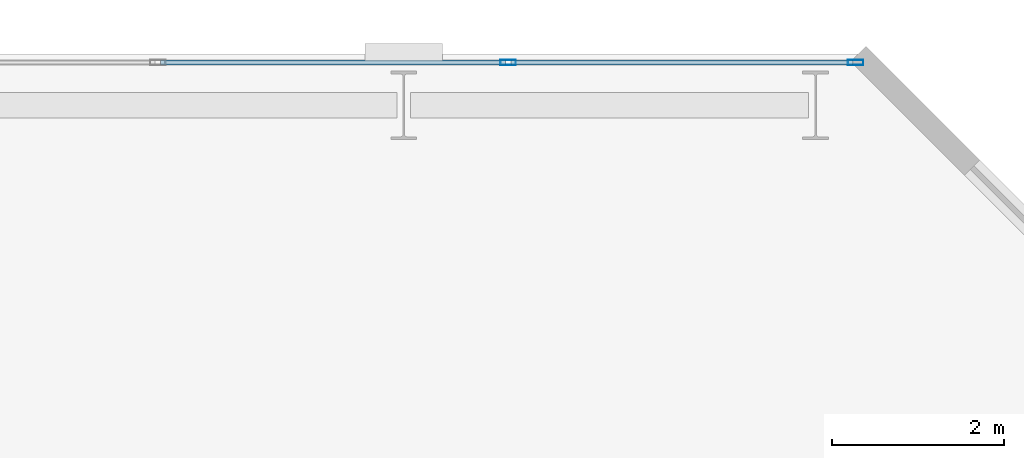
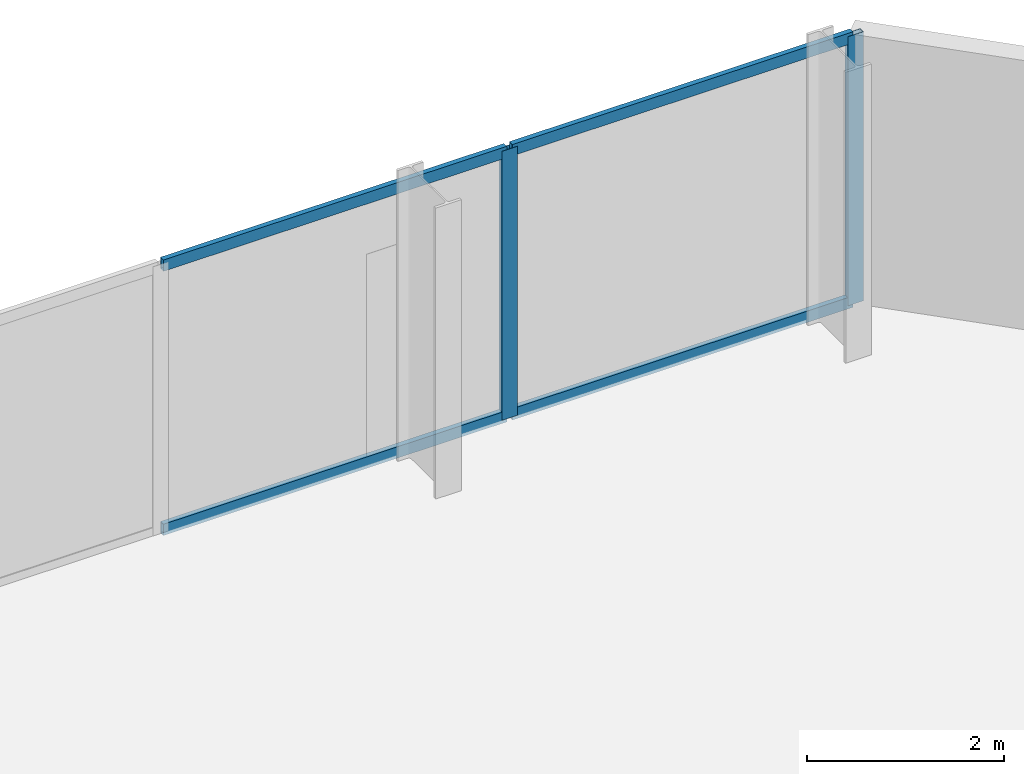
# One storey, part 26 of 32: 6 members, 1 element without a shape of its own.
"""IFC4 building model written with IfcOpenShell, lengths in metres."""

from ifc_helpers import new_model, si_unit, direction, frame, origin, origin_2d, place, context, subcontext, project, spatial, hollow_rectangle, extrude, material, layer, layer_set, material_profile, profile_set, type_object, element, aggregate, save


model = new_model("IFC4")

# Units and contexts
model_context = context("Model", 3, precision=1e-05, world=origin(), true_north=direction((0.0, 1.0)))
body_context = subcontext(model_context, "Body", "Model", "MODEL_VIEW")
ifc_project = project(units=[si_unit("LENGTHUNIT", "METRE"), si_unit("AREAUNIT", "SQUARE_METRE"), si_unit("VOLUMEUNIT", "CUBIC_METRE"), si_unit("PLANEANGLEUNIT", "RADIAN"), si_unit("MASSUNIT", "GRAM", prefix="KILO")], contexts=[model_context])

# Site, building, storey
site_placement = place(None, origin())
site = spatial("IfcSite", under=ifc_project, at=site_placement, CompositionType="ELEMENT")
building_placement = place(site_placement, origin())
building = spatial("IfcBuilding", under=site, at=building_placement, Name="Catumbela Crestline Tower", CompositionType="ELEMENT")
storey_placement = place(building_placement, frame((0.0, 0.0, 61.8)))
storey = spatial("IfcBuildingStorey", under=building, at=storey_placement, Name="L15", CompositionType="ELEMENT", Elevation=61.8)

# Curtain wall, members
ifc_material = material(Name="Aluminium alloy AW-6060-T66", Category="aluminium")
ifc_layer = layer(ifc_material, 0.18, Name="Aluminium alloy AW-6060-T66")
ifc_layer_set = layer_set([ifc_layer], Name="Aluminium alloy AW-6060-T66")
curtain_wall_type = type_object("IfcCurtainWallType", Name="CWU-Z1", PredefinedType="USERDEFINED", material=ifc_layer_set)
curtain_wall_placement = place(storey_placement, origin())
curtain_wall = element("IfcCurtainWall", 1, at=curtain_wall_placement, inside=storey, type_object=curtain_wall_type, Name="L15 Unitised Curtain Wall CW-L15-E7S1", ObjectType="UNITISED", PredefinedType="USERDEFINED")
ifc_material_profile_1 = material_profile(ifc_material, hollow_rectangle(XDim=0.065, YDim=0.18, WallThickness=0.004, at=origin_2d()), Name="ALU 180x65x4")
ifc_profile_set_1 = profile_set([ifc_material_profile_1], Name="Aluminium alloy AW-6060-T66")
member_type_1 = type_object("IfcMemberType", Name="MUL-180X65", PredefinedType="MULLION", material=ifc_profile_set_1)
member_1_placement = place(storey_placement, frame((52.4675, 47.9, 0.0), z_axis=(0.0, 0.0, 1.0), x_axis=(0.0, -1.0, 0.0)))
member_1 = element("IfcMember", 2, at=member_1_placement, type_object=member_type_1, Name="CWU-Z1 mullion 1", PredefinedType="MULLION", context=body_context, shape_type="SweptSolid", body=[
    extrude(hollow_rectangle(XDim=0.065, YDim=0.18, WallThickness=0.004, at=origin_2d()), origin(), (0.0, 0.0, 1.0), 3.33),
])
member_2_placement = place(storey_placement, frame((48.4167, 47.9, 0.0), z_axis=(0.0, 0.0, 1.0), x_axis=(0.0, -1.0, 0.0)))
member_2 = element("IfcMember", 3, at=member_2_placement, type_object=member_type_1, Name="CWU-Z1 mullion 2", PredefinedType="MULLION", context=body_context, shape_type="SweptSolid", body=[
    extrude(hollow_rectangle(XDim=0.065, YDim=0.18, WallThickness=0.004, at=origin_2d()), origin(), (0.0, 0.0, 1.0), 3.33),
])
ifc_material_profile_2 = material_profile(ifc_material, hollow_rectangle(XDim=0.06, YDim=0.14, WallThickness=0.004, at=origin_2d()), Name="ALU 140x60x4")
ifc_profile_set_2 = profile_set([ifc_material_profile_2], Name="Aluminium alloy AW-6060-T66")
member_type_2 = type_object("IfcMemberType", Name="TRN-140X60", PredefinedType="USERDEFINED", material=ifc_profile_set_2)
member_3_placement = place(storey_placement, frame((52.435, 47.9, 0.03), z_axis=(-1.0, 0.0, 0.0), x_axis=(0.0, -1.0, 0.0)))
member_3 = element("IfcMember", 4, at=member_3_placement, type_object=member_type_2, Name="CWU-Z1 transom 1.1", ObjectType="TRANSOM", PredefinedType="USERDEFINED", context=body_context, shape_type="SweptSolid", body=[
    extrude(hollow_rectangle(XDim=0.06, YDim=0.14, WallThickness=0.004, at=origin_2d()), origin(), (0.0, 0.0, 1.0), 3.9858),
])
member_4_placement = place(storey_placement, frame((52.435, 47.9, 3.3), z_axis=(-1.0, 0.0, 0.0), x_axis=(0.0, -1.0, 0.0)))
member_4 = element("IfcMember", 5, at=member_4_placement, type_object=member_type_2, Name="CWU-Z1 transom 1.2", ObjectType="TRANSOM", PredefinedType="USERDEFINED", context=body_context, shape_type="SweptSolid", body=[
    extrude(hollow_rectangle(XDim=0.06, YDim=0.14, WallThickness=0.004, at=origin_2d()), origin(), (0.0, 0.0, 1.0), 3.9858),
])
member_5_placement = place(storey_placement, frame((48.3842, 47.9, 0.03), z_axis=(-1.0, 0.0, 0.0), x_axis=(0.0, -1.0, 0.0)))
member_5 = element("IfcMember", 6, at=member_5_placement, type_object=member_type_2, Name="CWU-Z1 transom 2.1", ObjectType="TRANSOM", PredefinedType="USERDEFINED", context=body_context, shape_type="SweptSolid", body=[
    extrude(hollow_rectangle(XDim=0.06, YDim=0.14, WallThickness=0.004, at=origin_2d()), origin(), (0.0, 0.0, 1.0), 4.0184),
])
member_6_placement = place(storey_placement, frame((48.3842, 47.9, 3.3), z_axis=(-1.0, 0.0, 0.0), x_axis=(0.0, -1.0, 0.0)))
member_6 = element("IfcMember", 7, at=member_6_placement, type_object=member_type_2, Name="CWU-Z1 transom 2.2", ObjectType="TRANSOM", PredefinedType="USERDEFINED", context=body_context, shape_type="SweptSolid", body=[
    extrude(hollow_rectangle(XDim=0.06, YDim=0.14, WallThickness=0.004, at=origin_2d()), origin(), (0.0, 0.0, 1.0), 4.0184),
])
aggregate(curtain_wall, [member_1, member_2, member_3, member_4, member_5, member_6])

save(model, "model.ifc")
